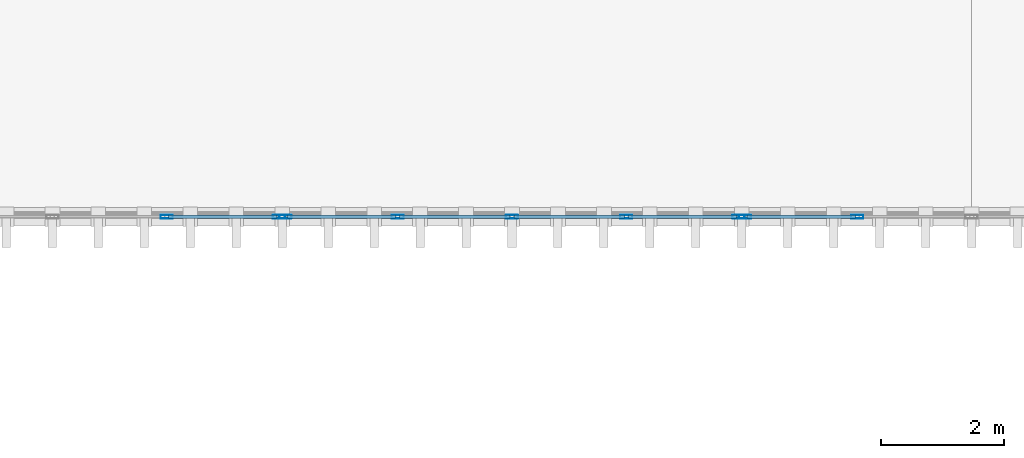
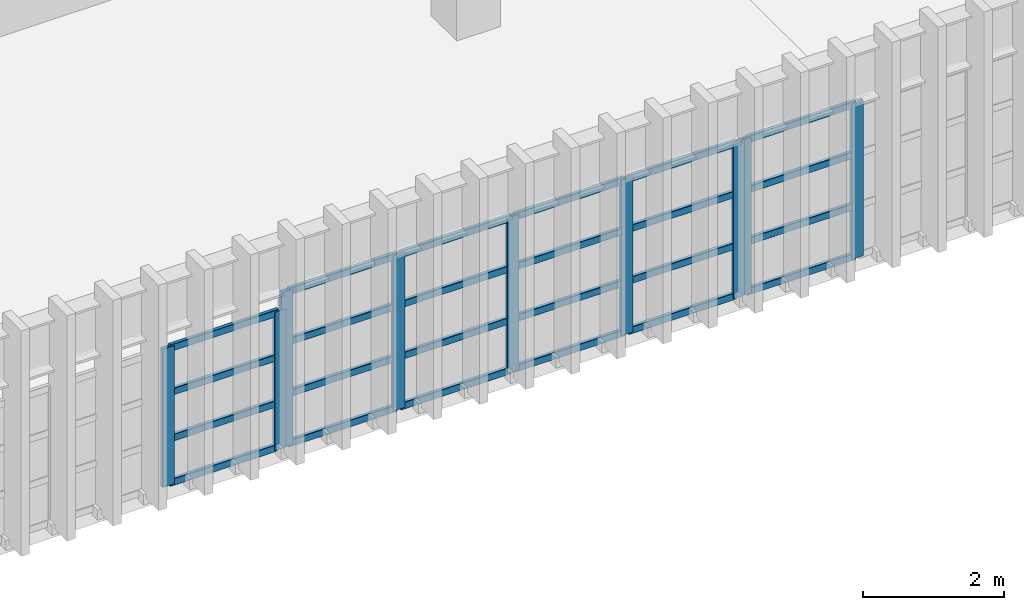
# One storey, part 40 of 101: 33 members, 3 elements without a shape of their own.
"""IFC4 building model written with IfcOpenShell, lengths in metres."""

from ifc_helpers import new_model, si_unit, direction, frame, origin, origin_2d, place, context, subcontext, project, spatial, hollow_rectangle, extrude, material, material_profile, profile_set, type_object, element, aggregate, save


model = new_model("IFC4")

# Units and contexts
model_context = context("Model", 3, precision=1e-05, world=origin(), true_north=direction((0.0, 1.0)))
body_context = subcontext(model_context, "Body", "Model", "MODEL_VIEW")
ifc_project = project(units=[si_unit("LENGTHUNIT", "METRE"), si_unit("AREAUNIT", "SQUARE_METRE"), si_unit("VOLUMEUNIT", "CUBIC_METRE"), si_unit("PLANEANGLEUNIT", "RADIAN"), si_unit("MASSUNIT", "GRAM", prefix="KILO")], contexts=[model_context])

# Site, building, storey
site_placement = place(None, origin())
site = spatial("IfcSite", under=ifc_project, at=site_placement, CompositionType="ELEMENT")
building_placement = place(site_placement, origin())
building = spatial("IfcBuilding", under=site, at=building_placement, Name="Qasida Concert Hall", CompositionType="ELEMENT")
storey_placement = place(building_placement, frame((0.0, 0.0, 13.199951171875)))
storey = spatial("IfcBuildingStorey", under=building, at=storey_placement, Name="L03", CompositionType="ELEMENT", Elevation=13.199951171875)

# Curtain wall, members
ifc_material_1 = material(Name="Architectural bronze-anodized aluminium and low-E glass", Category="aluminium")
curtain_wall_type = type_object("IfcCurtainWallType", Name="CW-04", PredefinedType="NOTDEFINED", material=ifc_material_1)
curtain_wall_1_placement = place(storey_placement, origin())
curtain_wall_1 = element("IfcCurtainWall", 1, at=curtain_wall_1_placement, inside=storey, type_object=curtain_wall_type, Name="L03 curtain wall CW-04 0016", PredefinedType="NOTDEFINED")
ifc_material_2 = material(Name="Architectural bronze-anodized aluminium EN AW-6063", Category="aluminium")
ifc_material_profile_1 = material_profile(ifc_material_2, hollow_rectangle(XDim=0.06494140625, YDim=0.199951171875, WallThickness=0.0048828125, InnerFilletRadius=0.0048828125, OuterFilletRadius=0.010009765625, at=origin_2d()), Name="CWM 200x65x5")
ifc_profile_set_1 = profile_set([ifc_material_profile_1], Name="Architectural bronze-anodized aluminium EN AW-6063")
member_type_1 = type_object("IfcMemberType", Name="MB-CWM-2", PredefinedType="MULLION", material=ifc_profile_set_1)
member_1_placement = place(storey_placement, frame((65.614990234375, 14.699951171875, 0.0), z_axis=(0.0, 0.0, 1.0), x_axis=(0.0, 1.0, 0.0)))
member_1 = element("IfcMember", 2, at=member_1_placement, type_object=member_type_1, Name="CW-04 mullion 4", PredefinedType="MULLION", context=body_context, shape_type="SweptSolid", body=[
    extrude(hollow_rectangle(XDim=0.06494140625, YDim=0.199951171875, WallThickness=0.0048828125, InnerFilletRadius=0.0048828125, OuterFilletRadius=0.010009765625, at=origin_2d()), origin(), (0.0, 0.0, 1.0), 2.39013671875),
])
member_2_placement = place(storey_placement, frame((67.447509765625, 14.699951171875, 0.0), z_axis=(0.0, 0.0, 1.0), x_axis=(0.0, 1.0, 0.0)))
member_2 = element("IfcMember", 3, at=member_2_placement, type_object=member_type_1, Name="CW-04 mullion 5", PredefinedType="MULLION", context=body_context, shape_type="SweptSolid", body=[
    extrude(hollow_rectangle(XDim=0.06494140625, YDim=0.199951171875, WallThickness=0.0048828125, InnerFilletRadius=0.0048828125, OuterFilletRadius=0.010009765625, at=origin_2d()), origin(), (0.0, 0.0, 1.0), 2.39013671875),
])

curtain_wall_2_placement = place(storey_placement, origin())
curtain_wall_2 = element("IfcCurtainWall", 4, at=curtain_wall_2_placement, inside=storey, type_object=curtain_wall_type, Name="L03 curtain wall CW-04 0017", PredefinedType="NOTDEFINED")
member_3_placement = place(storey_placement, frame((67.552490234375, 14.699951171875, 0.0), z_axis=(0.0, 0.0, 1.0), x_axis=(0.0, 1.0, 0.0)))
member_3 = element("IfcMember", 5, at=member_3_placement, type_object=member_type_1, Name="CW-04 mullion 1", PredefinedType="MULLION", context=body_context, shape_type="SweptSolid", body=[
    extrude(hollow_rectangle(XDim=0.06494140625, YDim=0.199951171875, WallThickness=0.0048828125, InnerFilletRadius=0.0048828125, OuterFilletRadius=0.010009765625, at=origin_2d()), origin(), (0.0, 0.0, 1.0), 2.68994140625),
])
member_4_placement = place(storey_placement, frame((69.385009765625, 14.699951171875, 0.0), z_axis=(0.0, 0.0, 1.0), x_axis=(0.0, 1.0, 0.0)))
member_4 = element("IfcMember", 6, at=member_4_placement, type_object=member_type_1, Name="CW-04 mullion 2", PredefinedType="MULLION", context=body_context, shape_type="SweptSolid", body=[
    extrude(hollow_rectangle(XDim=0.06494140625, YDim=0.199951171875, WallThickness=0.0048828125, InnerFilletRadius=0.0048828125, OuterFilletRadius=0.010009765625, at=origin_2d()), origin(), (0.0, 0.0, 1.0), 2.68994140625),
])
member_5_placement = place(storey_placement, frame((71.25, 14.699951171875, 0.0), z_axis=(0.0, 0.0, 1.0), x_axis=(0.0, 1.0, 0.0)))
member_5 = element("IfcMember", 7, at=member_5_placement, type_object=member_type_1, Name="CW-04 mullion 3", PredefinedType="MULLION", context=body_context, shape_type="SweptSolid", body=[
    extrude(hollow_rectangle(XDim=0.06494140625, YDim=0.199951171875, WallThickness=0.0048828125, InnerFilletRadius=0.0048828125, OuterFilletRadius=0.010009765625, at=origin_2d()), origin(), (0.0, 0.0, 1.0), 2.68994140625),
])
member_6_placement = place(storey_placement, frame((73.114990234375, 14.699951171875, 0.0), z_axis=(0.0, 0.0, 1.0), x_axis=(0.0, 1.0, 0.0)))
member_6 = element("IfcMember", 8, at=member_6_placement, type_object=member_type_1, Name="CW-04 mullion 4", PredefinedType="MULLION", context=body_context, shape_type="SweptSolid", body=[
    extrude(hollow_rectangle(XDim=0.06494140625, YDim=0.199951171875, WallThickness=0.0048828125, InnerFilletRadius=0.0048828125, OuterFilletRadius=0.010009765625, at=origin_2d()), origin(), (0.0, 0.0, 1.0), 2.68994140625),
])
member_7_placement = place(storey_placement, frame((74.947509765625, 14.699951171875, 0.0), z_axis=(0.0, 0.0, 1.0), x_axis=(0.0, 1.0, 0.0)))
member_7 = element("IfcMember", 9, at=member_7_placement, type_object=member_type_1, Name="CW-04 mullion 5", PredefinedType="MULLION", context=body_context, shape_type="SweptSolid", body=[
    extrude(hollow_rectangle(XDim=0.06494140625, YDim=0.199951171875, WallThickness=0.0048828125, InnerFilletRadius=0.0048828125, OuterFilletRadius=0.010009765625, at=origin_2d()), origin(), (0.0, 0.0, 1.0), 2.68994140625),
])

curtain_wall_3_placement = place(storey_placement, origin())
curtain_wall_3 = element("IfcCurtainWall", 10, at=curtain_wall_3_placement, inside=storey, type_object=curtain_wall_type, Name="L03 curtain wall CW-04 0018", PredefinedType="NOTDEFINED")
member_8_placement = place(storey_placement, frame((75.052490234375, 14.699951171875, 0.0), z_axis=(0.0, 0.0, 1.0), x_axis=(0.0, 1.0, 0.0)))
member_8 = element("IfcMember", 11, at=member_8_placement, type_object=member_type_1, Name="CW-04 mullion 1", PredefinedType="MULLION", context=body_context, shape_type="SweptSolid", body=[
    extrude(hollow_rectangle(XDim=0.06494140625, YDim=0.199951171875, WallThickness=0.0048828125, InnerFilletRadius=0.0048828125, OuterFilletRadius=0.010009765625, at=origin_2d()), origin(), (0.0, 0.0, 1.0), 2.68994140625),
])
member_9_placement = place(storey_placement, frame((76.885009765625, 14.699951171875, 0.0), z_axis=(0.0, 0.0, 1.0), x_axis=(0.0, 1.0, 0.0)))
member_9 = element("IfcMember", 12, at=member_9_placement, type_object=member_type_1, Name="CW-04 mullion 2", PredefinedType="MULLION", context=body_context, shape_type="SweptSolid", body=[
    extrude(hollow_rectangle(XDim=0.06494140625, YDim=0.199951171875, WallThickness=0.0048828125, InnerFilletRadius=0.0048828125, OuterFilletRadius=0.010009765625, at=origin_2d()), origin(), (0.0, 0.0, 1.0), 2.68994140625),
])

# Member
ifc_material_profile_2 = material_profile(ifc_material_2, hollow_rectangle(XDim=0.06005859375, YDim=0.1201171875, WallThickness=0.00390625, InnerFilletRadius=0.00390625, OuterFilletRadius=0.008056640625, at=origin_2d()), Name="CWT 120x60x4")
ifc_profile_set_2 = profile_set([ifc_material_profile_2], Name="Architectural bronze-anodized aluminium EN AW-6063")
member_type_2 = type_object("IfcMemberType", Name="MB-CWT-2", PredefinedType="USERDEFINED", material=ifc_profile_set_2)
member_10_placement = place(storey_placement, frame((65.6474609375, 14.699951171875, 0.030029296875), z_axis=(1.0, 0.0, 0.0), x_axis=(0.0, 1.0, 0.0)))
member_10 = element("IfcMember", 13, at=member_10_placement, type_object=member_type_2, Name="CW-04 transom 4.1", ObjectType="TRANSOM", PredefinedType="USERDEFINED", context=body_context, shape_type="SweptSolid", body=[
    extrude(hollow_rectangle(XDim=0.06005859375, YDim=0.1201171875, WallThickness=0.00390625, InnerFilletRadius=0.00390625, OuterFilletRadius=0.008056640625, at=origin_2d()), origin(), (0.0, 0.0, 1.0), 1.767578125),
])

member_11_placement = place(storey_placement, frame((65.6474609375, 14.699951171875, 0.796630859375), z_axis=(1.0, 0.0, 0.0), x_axis=(0.0, 1.0, 0.0)))
member_11 = element("IfcMember", 14, at=member_11_placement, type_object=member_type_2, Name="CW-04 transom 4.2", ObjectType="TRANSOM", PredefinedType="USERDEFINED", context=body_context, shape_type="SweptSolid", body=[
    extrude(hollow_rectangle(XDim=0.06005859375, YDim=0.1201171875, WallThickness=0.00390625, InnerFilletRadius=0.00390625, OuterFilletRadius=0.008056640625, at=origin_2d()), origin(), (0.0, 0.0, 1.0), 1.767578125),
])

member_12_placement = place(storey_placement, frame((65.6474609375, 14.699951171875, 1.59326171875), z_axis=(1.0, 0.0, 0.0), x_axis=(0.0, 1.0, 0.0)))
member_12 = element("IfcMember", 15, at=member_12_placement, type_object=member_type_2, Name="CW-04 transom 4.3", ObjectType="TRANSOM", PredefinedType="USERDEFINED", context=body_context, shape_type="SweptSolid", body=[
    extrude(hollow_rectangle(XDim=0.06005859375, YDim=0.1201171875, WallThickness=0.00390625, InnerFilletRadius=0.00390625, OuterFilletRadius=0.008056640625, at=origin_2d()), origin(), (0.0, 0.0, 1.0), 1.767578125),
])

member_13_placement = place(storey_placement, frame((65.6474609375, 14.699951171875, 2.360107421875), z_axis=(1.0, 0.0, 0.0), x_axis=(0.0, 1.0, 0.0)))
member_13 = element("IfcMember", 16, at=member_13_placement, type_object=member_type_2, Name="CW-04 transom 4.4", ObjectType="TRANSOM", PredefinedType="USERDEFINED", context=body_context, shape_type="SweptSolid", body=[
    extrude(hollow_rectangle(XDim=0.06005859375, YDim=0.1201171875, WallThickness=0.00390625, InnerFilletRadius=0.00390625, OuterFilletRadius=0.008056640625, at=origin_2d()), origin(), (0.0, 0.0, 1.0), 1.767578125),
])

aggregate(curtain_wall_1, [member_1, member_2, member_10, member_11, member_12, member_13])

member_14_placement = place(storey_placement, frame((67.5849609375, 14.699951171875, 0.030029296875), z_axis=(1.0, 0.0, 0.0), x_axis=(0.0, 1.0, 0.0)))
member_14 = element("IfcMember", 17, at=member_14_placement, type_object=member_type_2, Name="CW-04 transom 1.1", ObjectType="TRANSOM", PredefinedType="USERDEFINED", context=body_context, shape_type="SweptSolid", body=[
    extrude(hollow_rectangle(XDim=0.06005859375, YDim=0.1201171875, WallThickness=0.00390625, InnerFilletRadius=0.00390625, OuterFilletRadius=0.008056640625, at=origin_2d()), origin(), (0.0, 0.0, 1.0), 1.767578125),
])

member_15_placement = place(storey_placement, frame((67.5849609375, 14.699951171875, 0.896728515625), z_axis=(1.0, 0.0, 0.0), x_axis=(0.0, 1.0, 0.0)))
member_15 = element("IfcMember", 18, at=member_15_placement, type_object=member_type_2, Name="CW-04 transom 1.2", ObjectType="TRANSOM", PredefinedType="USERDEFINED", context=body_context, shape_type="SweptSolid", body=[
    extrude(hollow_rectangle(XDim=0.06005859375, YDim=0.1201171875, WallThickness=0.00390625, InnerFilletRadius=0.00390625, OuterFilletRadius=0.008056640625, at=origin_2d()), origin(), (0.0, 0.0, 1.0), 1.767578125),
])

member_16_placement = place(storey_placement, frame((67.5849609375, 14.699951171875, 1.79345703125), z_axis=(1.0, 0.0, 0.0), x_axis=(0.0, 1.0, 0.0)))
member_16 = element("IfcMember", 19, at=member_16_placement, type_object=member_type_2, Name="CW-04 transom 1.3", ObjectType="TRANSOM", PredefinedType="USERDEFINED", context=body_context, shape_type="SweptSolid", body=[
    extrude(hollow_rectangle(XDim=0.06005859375, YDim=0.1201171875, WallThickness=0.00390625, InnerFilletRadius=0.00390625, OuterFilletRadius=0.008056640625, at=origin_2d()), origin(), (0.0, 0.0, 1.0), 1.767578125),
])

member_17_placement = place(storey_placement, frame((67.5849609375, 14.699951171875, 2.66015625), z_axis=(1.0, 0.0, 0.0), x_axis=(0.0, 1.0, 0.0)))
member_17 = element("IfcMember", 20, at=member_17_placement, type_object=member_type_2, Name="CW-04 transom 1.4", ObjectType="TRANSOM", PredefinedType="USERDEFINED", context=body_context, shape_type="SweptSolid", body=[
    extrude(hollow_rectangle(XDim=0.06005859375, YDim=0.1201171875, WallThickness=0.00390625, InnerFilletRadius=0.00390625, OuterFilletRadius=0.008056640625, at=origin_2d()), origin(), (0.0, 0.0, 1.0), 1.767578125),
])

member_18_placement = place(storey_placement, frame((69.41748046875, 14.699951171875, 0.030029296875), z_axis=(1.0, 0.0, 0.0), x_axis=(0.0, 1.0, 0.0)))
member_18 = element("IfcMember", 21, at=member_18_placement, type_object=member_type_2, Name="CW-04 transom 2.1", ObjectType="TRANSOM", PredefinedType="USERDEFINED", context=body_context, shape_type="SweptSolid", body=[
    extrude(hollow_rectangle(XDim=0.06005859375, YDim=0.1201171875, WallThickness=0.00390625, InnerFilletRadius=0.00390625, OuterFilletRadius=0.008056640625, at=origin_2d()), origin(), (0.0, 0.0, 1.0), 1.800048828125),
])

member_19_placement = place(storey_placement, frame((69.41748046875, 14.699951171875, 0.896728515625), z_axis=(1.0, 0.0, 0.0), x_axis=(0.0, 1.0, 0.0)))
member_19 = element("IfcMember", 22, at=member_19_placement, type_object=member_type_2, Name="CW-04 transom 2.2", ObjectType="TRANSOM", PredefinedType="USERDEFINED", context=body_context, shape_type="SweptSolid", body=[
    extrude(hollow_rectangle(XDim=0.06005859375, YDim=0.1201171875, WallThickness=0.00390625, InnerFilletRadius=0.00390625, OuterFilletRadius=0.008056640625, at=origin_2d()), origin(), (0.0, 0.0, 1.0), 1.800048828125),
])

member_20_placement = place(storey_placement, frame((69.41748046875, 14.699951171875, 1.79345703125), z_axis=(1.0, 0.0, 0.0), x_axis=(0.0, 1.0, 0.0)))
member_20 = element("IfcMember", 23, at=member_20_placement, type_object=member_type_2, Name="CW-04 transom 2.3", ObjectType="TRANSOM", PredefinedType="USERDEFINED", context=body_context, shape_type="SweptSolid", body=[
    extrude(hollow_rectangle(XDim=0.06005859375, YDim=0.1201171875, WallThickness=0.00390625, InnerFilletRadius=0.00390625, OuterFilletRadius=0.008056640625, at=origin_2d()), origin(), (0.0, 0.0, 1.0), 1.800048828125),
])

member_21_placement = place(storey_placement, frame((69.41748046875, 14.699951171875, 2.66015625), z_axis=(1.0, 0.0, 0.0), x_axis=(0.0, 1.0, 0.0)))
member_21 = element("IfcMember", 24, at=member_21_placement, type_object=member_type_2, Name="CW-04 transom 2.4", ObjectType="TRANSOM", PredefinedType="USERDEFINED", context=body_context, shape_type="SweptSolid", body=[
    extrude(hollow_rectangle(XDim=0.06005859375, YDim=0.1201171875, WallThickness=0.00390625, InnerFilletRadius=0.00390625, OuterFilletRadius=0.008056640625, at=origin_2d()), origin(), (0.0, 0.0, 1.0), 1.800048828125),
])

member_22_placement = place(storey_placement, frame((71.282470703125, 14.699951171875, 0.030029296875), z_axis=(1.0, 0.0, 0.0), x_axis=(0.0, 1.0, 0.0)))
member_22 = element("IfcMember", 25, at=member_22_placement, type_object=member_type_2, Name="CW-04 transom 3.1", ObjectType="TRANSOM", PredefinedType="USERDEFINED", context=body_context, shape_type="SweptSolid", body=[
    extrude(hollow_rectangle(XDim=0.06005859375, YDim=0.1201171875, WallThickness=0.00390625, InnerFilletRadius=0.00390625, OuterFilletRadius=0.008056640625, at=origin_2d()), origin(), (0.0, 0.0, 1.0), 1.800048828125),
])

member_23_placement = place(storey_placement, frame((71.282470703125, 14.699951171875, 0.896728515625), z_axis=(1.0, 0.0, 0.0), x_axis=(0.0, 1.0, 0.0)))
member_23 = element("IfcMember", 26, at=member_23_placement, type_object=member_type_2, Name="CW-04 transom 3.2", ObjectType="TRANSOM", PredefinedType="USERDEFINED", context=body_context, shape_type="SweptSolid", body=[
    extrude(hollow_rectangle(XDim=0.06005859375, YDim=0.1201171875, WallThickness=0.00390625, InnerFilletRadius=0.00390625, OuterFilletRadius=0.008056640625, at=origin_2d()), origin(), (0.0, 0.0, 1.0), 1.800048828125),
])

member_24_placement = place(storey_placement, frame((71.282470703125, 14.699951171875, 1.79345703125), z_axis=(1.0, 0.0, 0.0), x_axis=(0.0, 1.0, 0.0)))
member_24 = element("IfcMember", 27, at=member_24_placement, type_object=member_type_2, Name="CW-04 transom 3.3", ObjectType="TRANSOM", PredefinedType="USERDEFINED", context=body_context, shape_type="SweptSolid", body=[
    extrude(hollow_rectangle(XDim=0.06005859375, YDim=0.1201171875, WallThickness=0.00390625, InnerFilletRadius=0.00390625, OuterFilletRadius=0.008056640625, at=origin_2d()), origin(), (0.0, 0.0, 1.0), 1.800048828125),
])

member_25_placement = place(storey_placement, frame((71.282470703125, 14.699951171875, 2.66015625), z_axis=(1.0, 0.0, 0.0), x_axis=(0.0, 1.0, 0.0)))
member_25 = element("IfcMember", 28, at=member_25_placement, type_object=member_type_2, Name="CW-04 transom 3.4", ObjectType="TRANSOM", PredefinedType="USERDEFINED", context=body_context, shape_type="SweptSolid", body=[
    extrude(hollow_rectangle(XDim=0.06005859375, YDim=0.1201171875, WallThickness=0.00390625, InnerFilletRadius=0.00390625, OuterFilletRadius=0.008056640625, at=origin_2d()), origin(), (0.0, 0.0, 1.0), 1.800048828125),
])

member_26_placement = place(storey_placement, frame((73.1474609375, 14.699951171875, 0.030029296875), z_axis=(1.0, 0.0, 0.0), x_axis=(0.0, 1.0, 0.0)))
member_26 = element("IfcMember", 29, at=member_26_placement, type_object=member_type_2, Name="CW-04 transom 4.1", ObjectType="TRANSOM", PredefinedType="USERDEFINED", context=body_context, shape_type="SweptSolid", body=[
    extrude(hollow_rectangle(XDim=0.06005859375, YDim=0.1201171875, WallThickness=0.00390625, InnerFilletRadius=0.00390625, OuterFilletRadius=0.008056640625, at=origin_2d()), origin(), (0.0, 0.0, 1.0), 1.767578125),
])

member_27_placement = place(storey_placement, frame((73.1474609375, 14.699951171875, 0.896728515625), z_axis=(1.0, 0.0, 0.0), x_axis=(0.0, 1.0, 0.0)))
member_27 = element("IfcMember", 30, at=member_27_placement, type_object=member_type_2, Name="CW-04 transom 4.2", ObjectType="TRANSOM", PredefinedType="USERDEFINED", context=body_context, shape_type="SweptSolid", body=[
    extrude(hollow_rectangle(XDim=0.06005859375, YDim=0.1201171875, WallThickness=0.00390625, InnerFilletRadius=0.00390625, OuterFilletRadius=0.008056640625, at=origin_2d()), origin(), (0.0, 0.0, 1.0), 1.767578125),
])

member_28_placement = place(storey_placement, frame((73.1474609375, 14.699951171875, 1.79345703125), z_axis=(1.0, 0.0, 0.0), x_axis=(0.0, 1.0, 0.0)))
member_28 = element("IfcMember", 31, at=member_28_placement, type_object=member_type_2, Name="CW-04 transom 4.3", ObjectType="TRANSOM", PredefinedType="USERDEFINED", context=body_context, shape_type="SweptSolid", body=[
    extrude(hollow_rectangle(XDim=0.06005859375, YDim=0.1201171875, WallThickness=0.00390625, InnerFilletRadius=0.00390625, OuterFilletRadius=0.008056640625, at=origin_2d()), origin(), (0.0, 0.0, 1.0), 1.767578125),
])

member_29_placement = place(storey_placement, frame((73.1474609375, 14.699951171875, 2.66015625), z_axis=(1.0, 0.0, 0.0), x_axis=(0.0, 1.0, 0.0)))
member_29 = element("IfcMember", 32, at=member_29_placement, type_object=member_type_2, Name="CW-04 transom 4.4", ObjectType="TRANSOM", PredefinedType="USERDEFINED", context=body_context, shape_type="SweptSolid", body=[
    extrude(hollow_rectangle(XDim=0.06005859375, YDim=0.1201171875, WallThickness=0.00390625, InnerFilletRadius=0.00390625, OuterFilletRadius=0.008056640625, at=origin_2d()), origin(), (0.0, 0.0, 1.0), 1.767578125),
])

aggregate(curtain_wall_2, [member_3, member_4, member_5, member_6, member_7, member_14, member_15, member_16, member_17, member_18, member_19, member_20, member_21, member_22, member_23, member_24, member_25, member_26, member_27, member_28, member_29])

member_30_placement = place(storey_placement, frame((75.0849609375, 14.699951171875, 0.030029296875), z_axis=(1.0, 0.0, 0.0), x_axis=(0.0, 1.0, 0.0)))
member_30 = element("IfcMember", 33, at=member_30_placement, type_object=member_type_2, Name="CW-04 transom 1.1", ObjectType="TRANSOM", PredefinedType="USERDEFINED", context=body_context, shape_type="SweptSolid", body=[
    extrude(hollow_rectangle(XDim=0.06005859375, YDim=0.1201171875, WallThickness=0.00390625, InnerFilletRadius=0.00390625, OuterFilletRadius=0.008056640625, at=origin_2d()), origin(), (0.0, 0.0, 1.0), 1.767578125),
])

member_31_placement = place(storey_placement, frame((75.0849609375, 14.699951171875, 0.896728515625), z_axis=(1.0, 0.0, 0.0), x_axis=(0.0, 1.0, 0.0)))
member_31 = element("IfcMember", 34, at=member_31_placement, type_object=member_type_2, Name="CW-04 transom 1.2", ObjectType="TRANSOM", PredefinedType="USERDEFINED", context=body_context, shape_type="SweptSolid", body=[
    extrude(hollow_rectangle(XDim=0.06005859375, YDim=0.1201171875, WallThickness=0.00390625, InnerFilletRadius=0.00390625, OuterFilletRadius=0.008056640625, at=origin_2d()), origin(), (0.0, 0.0, 1.0), 1.767578125),
])

member_32_placement = place(storey_placement, frame((75.0849609375, 14.699951171875, 1.79345703125), z_axis=(1.0, 0.0, 0.0), x_axis=(0.0, 1.0, 0.0)))
member_32 = element("IfcMember", 35, at=member_32_placement, type_object=member_type_2, Name="CW-04 transom 1.3", ObjectType="TRANSOM", PredefinedType="USERDEFINED", context=body_context, shape_type="SweptSolid", body=[
    extrude(hollow_rectangle(XDim=0.06005859375, YDim=0.1201171875, WallThickness=0.00390625, InnerFilletRadius=0.00390625, OuterFilletRadius=0.008056640625, at=origin_2d()), origin(), (0.0, 0.0, 1.0), 1.767578125),
])

member_33_placement = place(storey_placement, frame((75.0849609375, 14.699951171875, 2.66015625), z_axis=(1.0, 0.0, 0.0), x_axis=(0.0, 1.0, 0.0)))
member_33 = element("IfcMember", 36, at=member_33_placement, type_object=member_type_2, Name="CW-04 transom 1.4", ObjectType="TRANSOM", PredefinedType="USERDEFINED", context=body_context, shape_type="SweptSolid", body=[
    extrude(hollow_rectangle(XDim=0.06005859375, YDim=0.1201171875, WallThickness=0.00390625, InnerFilletRadius=0.00390625, OuterFilletRadius=0.008056640625, at=origin_2d()), origin(), (0.0, 0.0, 1.0), 1.767578125),
])

aggregate(curtain_wall_3, [member_8, member_9, member_30, member_31, member_32, member_33])

save(model, "model.ifc")
